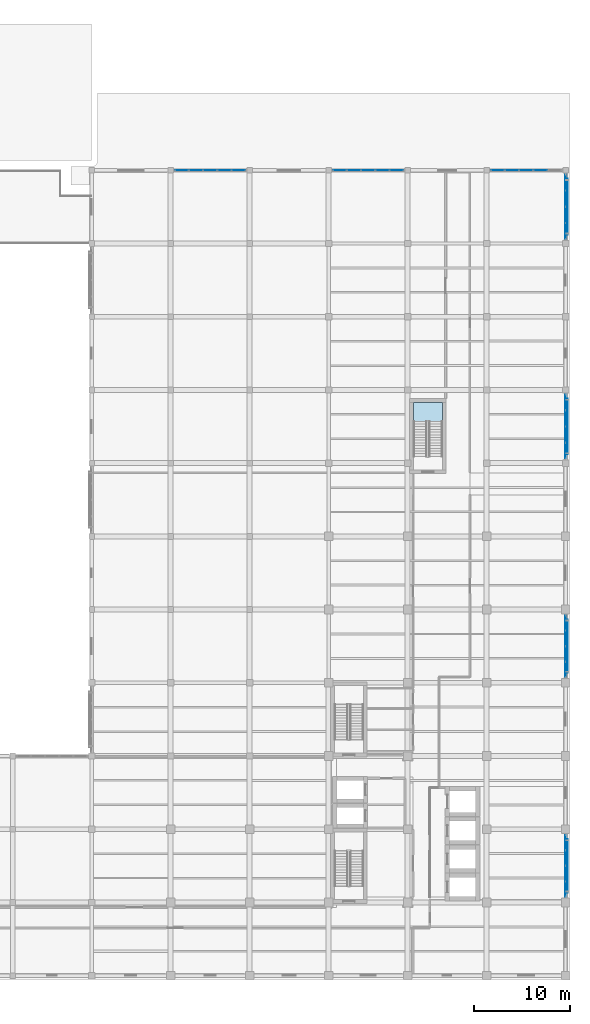
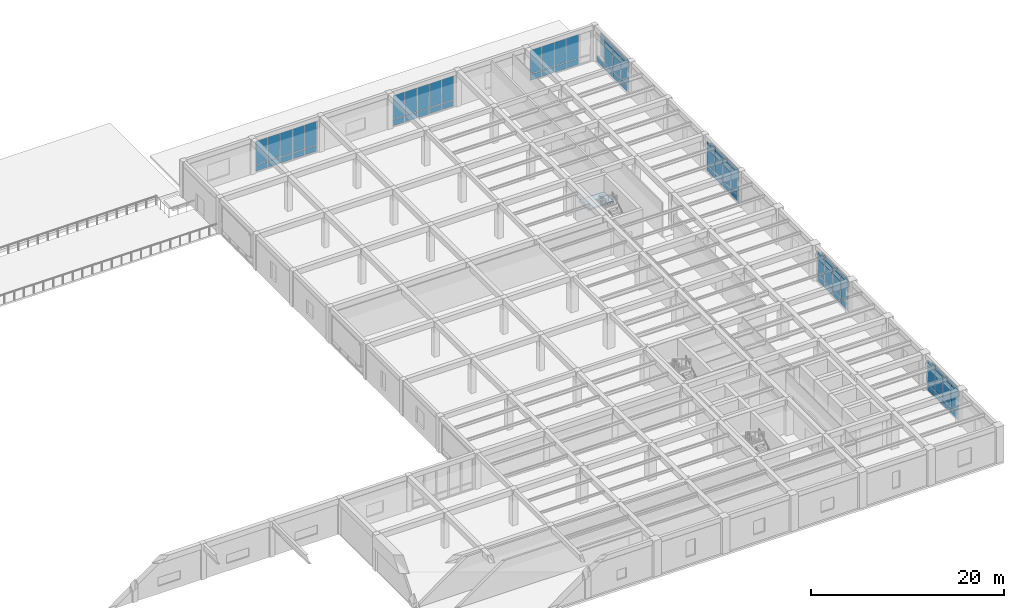
# One storey, part 32 of 49: 63 plates, 1 slab, 8 elements without a shape of their own.
"""IFC4 building model written with IfcOpenShell, lengths in metres."""

from ifc_helpers import new_model, si_unit, direction, frame, origin, origin_2d, place, context, subcontext, project, spatial, polyline, rectangle, outline, extrude, material, layer, layer_set, type_object, element, aggregate, save


model = new_model("IFC4")

# Units and contexts
model_context = context("Model", 3, precision=1e-05, world=origin(), true_north=direction((0.0, 1.0)))
body_context = subcontext(model_context, "Body", "Model", "MODEL_VIEW")
ifc_project = project(units=[si_unit("LENGTHUNIT", "METRE"), si_unit("AREAUNIT", "SQUARE_METRE"), si_unit("VOLUMEUNIT", "CUBIC_METRE"), si_unit("PLANEANGLEUNIT", "RADIAN"), si_unit("MASSUNIT", "GRAM", prefix="KILO")], contexts=[model_context])

# Site, building, storey
site_placement = place(None, origin())
site = spatial("IfcSite", under=ifc_project, at=site_placement, CompositionType="ELEMENT")
building_placement = place(site_placement, origin())
building = spatial("IfcBuilding", under=site, at=building_placement, Name="Qandaris Square Conservatory and Botanical Centre", CompositionType="ELEMENT")
storey_placement = place(building_placement, frame((0.0, 0.0, 10.199951171875)))
storey = spatial("IfcBuildingStorey", under=building, at=storey_placement, Name="L02", CompositionType="ELEMENT", Elevation=10.199951171875)

# Curtain wall, plates
ifc_material_1 = material(Name="Anodised Aluminium", Category="aluminium")
curtain_wall_type_1 = type_object("IfcCurtainWallType", Name="Unitised Curtain Wall CW-4-650x394", PredefinedType="USERDEFINED", material=ifc_material_1)
curtain_wall_1_placement = place(storey_placement, origin())
curtain_wall_1 = element("IfcCurtainWall", 1, at=curtain_wall_1_placement, inside=storey, type_object=curtain_wall_type_1, Name="Curtain Wall CW-TWR-L02-2-2", ObjectType="GLAZED CURTAIN WALL", PredefinedType="USERDEFINED")
ifc_material_2 = material(Name="Tempered Low-E Glass", Category="glass")
ifc_layer_1 = layer(ifc_material_2, 0.035888671875)
ifc_layer_set_1 = layer_set([ifc_layer_1], Name="Tempered Low-E Glass")
plate_type_1 = type_object("IfcPlateType", Name="Double-Glazed Solar Control Vision Unit 36mm", PredefinedType="CURTAIN_PANEL", material=ifc_layer_set_1)
plate_1_placement = place(storey_placement, frame((163.800048828125, 25.578857421875, 0.065185546875), z_axis=(0.0, 0.0, 1.0), x_axis=(0.0, 1.0, 0.0)))
plate_1 = element("IfcPlate", 2, at=plate_1_placement, type_object=plate_type_1, Name="CW-4-650x394 panel 1.1", PredefinedType="CURTAIN_PANEL", context=body_context, shape_type="SweptSolid", body=[
    extrude(rectangle(XDim=1.527587890625, YDim=0.035888671875, at=origin_2d()), origin(), (0.0, 0.0, 1.0), 0.75244140625),
])
plate_2_placement = place(storey_placement, frame((163.800048828125, 25.578857421875, 0.882568359375), z_axis=(0.0, 0.0, 1.0), x_axis=(0.0, 1.0, 0.0)))
plate_2 = element("IfcPlate", 3, at=plate_2_placement, type_object=plate_type_1, Name="CW-4-650x394 panel 1.2", PredefinedType="CURTAIN_PANEL", context=body_context, shape_type="SweptSolid", body=[
    extrude(rectangle(XDim=1.527587890625, YDim=0.035888671875, at=origin_2d()), origin(), (0.0, 0.0, 1.0), 2.99755859375),
])
plate_3_placement = place(storey_placement, frame((163.800048828125, 27.1875, 0.065185546875), z_axis=(0.0, 0.0, 1.0), x_axis=(0.0, 1.0, 0.0)))
plate_3 = element("IfcPlate", 4, at=plate_3_placement, type_object=plate_type_1, Name="CW-4-650x394 panel 2.1", PredefinedType="CURTAIN_PANEL", context=body_context, shape_type="SweptSolid", body=[
    extrude(rectangle(XDim=1.56005859375, YDim=0.035888671875, at=origin_2d()), origin(), (0.0, 0.0, 1.0), 0.75244140625),
])
plate_4_placement = place(storey_placement, frame((163.800048828125, 27.1875, 0.882568359375), z_axis=(0.0, 0.0, 1.0), x_axis=(0.0, 1.0, 0.0)))
plate_4 = element("IfcPlate", 5, at=plate_4_placement, type_object=plate_type_1, Name="CW-4-650x394 panel 2.2", PredefinedType="CURTAIN_PANEL", context=body_context, shape_type="SweptSolid", body=[
    extrude(rectangle(XDim=1.56005859375, YDim=0.035888671875, at=origin_2d()), origin(), (0.0, 0.0, 1.0), 2.99755859375),
])
plate_5_placement = place(storey_placement, frame((163.800048828125, 28.8125, 0.065185546875), z_axis=(0.0, 0.0, 1.0), x_axis=(0.0, 1.0, 0.0)))
plate_5 = element("IfcPlate", 6, at=plate_5_placement, type_object=plate_type_1, Name="CW-4-650x394 panel 3.1", PredefinedType="CURTAIN_PANEL", context=body_context, shape_type="SweptSolid", body=[
    extrude(rectangle(XDim=1.56005859375, YDim=0.035888671875, at=origin_2d()), origin(), (0.0, 0.0, 1.0), 0.75244140625),
])
plate_6_placement = place(storey_placement, frame((163.800048828125, 28.8125, 0.882568359375), z_axis=(0.0, 0.0, 1.0), x_axis=(0.0, 1.0, 0.0)))
plate_6 = element("IfcPlate", 7, at=plate_6_placement, type_object=plate_type_1, Name="CW-4-650x394 panel 3.2", PredefinedType="CURTAIN_PANEL", context=body_context, shape_type="SweptSolid", body=[
    extrude(rectangle(XDim=1.56005859375, YDim=0.035888671875, at=origin_2d()), origin(), (0.0, 0.0, 1.0), 2.99755859375),
])
plate_7_placement = place(storey_placement, frame((163.800048828125, 30.421142578125, 0.065185546875), z_axis=(0.0, 0.0, 1.0), x_axis=(0.0, 1.0, 0.0)))
plate_7 = element("IfcPlate", 8, at=plate_7_placement, type_object=plate_type_1, Name="CW-4-650x394 panel 4.1", PredefinedType="CURTAIN_PANEL", context=body_context, shape_type="SweptSolid", body=[
    extrude(rectangle(XDim=1.527587890625, YDim=0.035888671875, at=origin_2d()), origin(), (0.0, 0.0, 1.0), 0.75244140625),
])
plate_8_placement = place(storey_placement, frame((163.800048828125, 30.421142578125, 0.882568359375), z_axis=(0.0, 0.0, 1.0), x_axis=(0.0, 1.0, 0.0)))
plate_8 = element("IfcPlate", 9, at=plate_8_placement, type_object=plate_type_1, Name="CW-4-650x394 panel 4.2", PredefinedType="CURTAIN_PANEL", context=body_context, shape_type="SweptSolid", body=[
    extrude(rectangle(XDim=1.527587890625, YDim=0.035888671875, at=origin_2d()), origin(), (0.0, 0.0, 1.0), 2.99755859375),
])
aggregate(curtain_wall_1, [plate_1, plate_2, plate_3, plate_4, plate_5, plate_6, plate_7, plate_8])

curtain_wall_2_placement = place(storey_placement, origin())
curtain_wall_2 = element("IfcCurtainWall", 10, at=curtain_wall_2_placement, inside=storey, type_object=curtain_wall_type_1, Name="Curtain Wall CW-TWR-L02-2-5", ObjectType="GLAZED CURTAIN WALL", PredefinedType="USERDEFINED")
plate_9_placement = place(storey_placement, frame((163.800048828125, 48.378662109375, 0.065185546875), z_axis=(0.0, 0.0, 1.0), x_axis=(0.0, 1.0, 0.0)))
plate_9 = element("IfcPlate", 11, at=plate_9_placement, type_object=plate_type_1, Name="CW-4-650x394 panel 1.1", PredefinedType="CURTAIN_PANEL", context=body_context, shape_type="SweptSolid", body=[
    extrude(rectangle(XDim=1.527587890625, YDim=0.035888671875, at=origin_2d()), origin(), (0.0, 0.0, 1.0), 0.75244140625),
])
plate_10_placement = place(storey_placement, frame((163.800048828125, 48.378662109375, 0.882568359375), z_axis=(0.0, 0.0, 1.0), x_axis=(0.0, 1.0, 0.0)))
plate_10 = element("IfcPlate", 12, at=plate_10_placement, type_object=plate_type_1, Name="CW-4-650x394 panel 1.2", PredefinedType="CURTAIN_PANEL", context=body_context, shape_type="SweptSolid", body=[
    extrude(rectangle(XDim=1.527587890625, YDim=0.035888671875, at=origin_2d()), origin(), (0.0, 0.0, 1.0), 2.99755859375),
])
plate_11_placement = place(storey_placement, frame((163.800048828125, 49.987548828125, 0.065185546875), z_axis=(0.0, 0.0, 1.0), x_axis=(0.0, 1.0, 0.0)))
plate_11 = element("IfcPlate", 13, at=plate_11_placement, type_object=plate_type_1, Name="CW-4-650x394 panel 2.1", PredefinedType="CURTAIN_PANEL", context=body_context, shape_type="SweptSolid", body=[
    extrude(rectangle(XDim=1.56005859375, YDim=0.035888671875, at=origin_2d()), origin(), (0.0, 0.0, 1.0), 0.75244140625),
])
plate_12_placement = place(storey_placement, frame((163.800048828125, 49.987548828125, 0.882568359375), z_axis=(0.0, 0.0, 1.0), x_axis=(0.0, 1.0, 0.0)))
plate_12 = element("IfcPlate", 14, at=plate_12_placement, type_object=plate_type_1, Name="CW-4-650x394 panel 2.2", PredefinedType="CURTAIN_PANEL", context=body_context, shape_type="SweptSolid", body=[
    extrude(rectangle(XDim=1.56005859375, YDim=0.035888671875, at=origin_2d()), origin(), (0.0, 0.0, 1.0), 2.99755859375),
])
plate_13_placement = place(storey_placement, frame((163.800048828125, 51.612548828125, 0.065185546875), z_axis=(0.0, 0.0, 1.0), x_axis=(0.0, 1.0, 0.0)))
plate_13 = element("IfcPlate", 15, at=plate_13_placement, type_object=plate_type_1, Name="CW-4-650x394 panel 3.1", PredefinedType="CURTAIN_PANEL", context=body_context, shape_type="SweptSolid", body=[
    extrude(rectangle(XDim=1.56005859375, YDim=0.035888671875, at=origin_2d()), origin(), (0.0, 0.0, 1.0), 0.75244140625),
])
plate_14_placement = place(storey_placement, frame((163.800048828125, 51.612548828125, 0.882568359375), z_axis=(0.0, 0.0, 1.0), x_axis=(0.0, 1.0, 0.0)))
plate_14 = element("IfcPlate", 16, at=plate_14_placement, type_object=plate_type_1, Name="CW-4-650x394 panel 3.2", PredefinedType="CURTAIN_PANEL", context=body_context, shape_type="SweptSolid", body=[
    extrude(rectangle(XDim=1.56005859375, YDim=0.035888671875, at=origin_2d()), origin(), (0.0, 0.0, 1.0), 2.99755859375),
])
plate_15_placement = place(storey_placement, frame((163.800048828125, 53.22119140625, 0.065185546875), z_axis=(0.0, 0.0, 1.0), x_axis=(0.0, 1.0, 0.0)))
plate_15 = element("IfcPlate", 17, at=plate_15_placement, type_object=plate_type_1, Name="CW-4-650x394 panel 4.1", PredefinedType="CURTAIN_PANEL", context=body_context, shape_type="SweptSolid", body=[
    extrude(rectangle(XDim=1.527587890625, YDim=0.035888671875, at=origin_2d()), origin(), (0.0, 0.0, 1.0), 0.75244140625),
])
plate_16_placement = place(storey_placement, frame((163.800048828125, 53.22119140625, 0.882568359375), z_axis=(0.0, 0.0, 1.0), x_axis=(0.0, 1.0, 0.0)))
plate_16 = element("IfcPlate", 18, at=plate_16_placement, type_object=plate_type_1, Name="CW-4-650x394 panel 4.2", PredefinedType="CURTAIN_PANEL", context=body_context, shape_type="SweptSolid", body=[
    extrude(rectangle(XDim=1.527587890625, YDim=0.035888671875, at=origin_2d()), origin(), (0.0, 0.0, 1.0), 2.99755859375),
])
aggregate(curtain_wall_2, [plate_9, plate_10, plate_11, plate_12, plate_13, plate_14, plate_15, plate_16])

curtain_wall_type_2 = type_object("IfcCurtainWallType", Name="Unitised Curtain Wall CW-4-675x394", PredefinedType="USERDEFINED", material=ifc_material_1)
curtain_wall_3_placement = place(storey_placement, origin())
curtain_wall_3 = element("IfcCurtainWall", 19, at=curtain_wall_3_placement, inside=storey, type_object=curtain_wall_type_2, Name="Curtain Wall CW-TWR-L02-2-8", ObjectType="GLAZED CURTAIN WALL", PredefinedType="USERDEFINED")
plate_17_placement = place(storey_placement, frame((163.800048828125, 71.0849609375, 0.065185546875), z_axis=(0.0, 0.0, 1.0), x_axis=(0.0, 1.0, 0.0)))
plate_17 = element("IfcPlate", 20, at=plate_17_placement, type_object=plate_type_1, Name="CW-4-675x394 panel 1.1", PredefinedType="CURTAIN_PANEL", context=body_context, shape_type="SweptSolid", body=[
    extrude(rectangle(XDim=1.590087890625, YDim=0.035888671875, at=origin_2d()), origin(), (0.0, 0.0, 1.0), 0.75244140625),
])
plate_18_placement = place(storey_placement, frame((163.800048828125, 71.0849609375, 0.882568359375), z_axis=(0.0, 0.0, 1.0), x_axis=(0.0, 1.0, 0.0)))
plate_18 = element("IfcPlate", 21, at=plate_18_placement, type_object=plate_type_1, Name="CW-4-675x394 panel 1.2", PredefinedType="CURTAIN_PANEL", context=body_context, shape_type="SweptSolid", body=[
    extrude(rectangle(XDim=1.590087890625, YDim=0.035888671875, at=origin_2d()), origin(), (0.0, 0.0, 1.0), 2.99755859375),
])
plate_19_placement = place(storey_placement, frame((163.800048828125, 72.75634765625, 0.065185546875), z_axis=(0.0, 0.0, 1.0), x_axis=(0.0, 1.0, 0.0)))
plate_19 = element("IfcPlate", 22, at=plate_19_placement, type_object=plate_type_1, Name="CW-4-675x394 panel 2.1", PredefinedType="CURTAIN_PANEL", context=body_context, shape_type="SweptSolid", body=[
    extrude(rectangle(XDim=1.62255859375, YDim=0.035888671875, at=origin_2d()), origin(), (0.0, 0.0, 1.0), 0.75244140625),
])
plate_20_placement = place(storey_placement, frame((163.800048828125, 72.75634765625, 0.882568359375), z_axis=(0.0, 0.0, 1.0), x_axis=(0.0, 1.0, 0.0)))
plate_20 = element("IfcPlate", 23, at=plate_20_placement, type_object=plate_type_1, Name="CW-4-675x394 panel 2.2", PredefinedType="CURTAIN_PANEL", context=body_context, shape_type="SweptSolid", body=[
    extrude(rectangle(XDim=1.62255859375, YDim=0.035888671875, at=origin_2d()), origin(), (0.0, 0.0, 1.0), 2.99755859375),
])
plate_21_placement = place(storey_placement, frame((163.800048828125, 74.44384765625, 0.065185546875), z_axis=(0.0, 0.0, 1.0), x_axis=(0.0, 1.0, 0.0)))
plate_21 = element("IfcPlate", 24, at=plate_21_placement, type_object=plate_type_1, Name="CW-4-675x394 panel 3.1", PredefinedType="CURTAIN_PANEL", context=body_context, shape_type="SweptSolid", body=[
    extrude(rectangle(XDim=1.62255859375, YDim=0.035888671875, at=origin_2d()), origin(), (0.0, 0.0, 1.0), 0.75244140625),
])
plate_22_placement = place(storey_placement, frame((163.800048828125, 74.44384765625, 0.882568359375), z_axis=(0.0, 0.0, 1.0), x_axis=(0.0, 1.0, 0.0)))
plate_22 = element("IfcPlate", 25, at=plate_22_placement, type_object=plate_type_1, Name="CW-4-675x394 panel 3.2", PredefinedType="CURTAIN_PANEL", context=body_context, shape_type="SweptSolid", body=[
    extrude(rectangle(XDim=1.62255859375, YDim=0.035888671875, at=origin_2d()), origin(), (0.0, 0.0, 1.0), 2.99755859375),
])
plate_23_placement = place(storey_placement, frame((163.800048828125, 76.114990234375, 0.065185546875), z_axis=(0.0, 0.0, 1.0), x_axis=(0.0, 1.0, 0.0)))
plate_23 = element("IfcPlate", 26, at=plate_23_placement, type_object=plate_type_1, Name="CW-4-675x394 panel 4.1", PredefinedType="CURTAIN_PANEL", context=body_context, shape_type="SweptSolid", body=[
    extrude(rectangle(XDim=1.590087890625, YDim=0.035888671875, at=origin_2d()), origin(), (0.0, 0.0, 1.0), 0.75244140625),
])
plate_24_placement = place(storey_placement, frame((163.800048828125, 76.114990234375, 0.882568359375), z_axis=(0.0, 0.0, 1.0), x_axis=(0.0, 1.0, 0.0)))
plate_24 = element("IfcPlate", 27, at=plate_24_placement, type_object=plate_type_1, Name="CW-4-675x394 panel 4.2", PredefinedType="CURTAIN_PANEL", context=body_context, shape_type="SweptSolid", body=[
    extrude(rectangle(XDim=1.590087890625, YDim=0.035888671875, at=origin_2d()), origin(), (0.0, 0.0, 1.0), 2.99755859375),
])
aggregate(curtain_wall_3, [plate_17, plate_18, plate_19, plate_20, plate_21, plate_22, plate_23, plate_24])

curtain_wall_type_3 = type_object("IfcCurtainWallType", Name="Unitised Curtain Wall CW-4-677x394", PredefinedType="USERDEFINED", material=ifc_material_1)
curtain_wall_4_placement = place(storey_placement, origin())
curtain_wall_4 = element("IfcCurtainWall", 28, at=curtain_wall_4_placement, inside=storey, type_object=curtain_wall_type_3, Name="Curtain Wall CW-TWR-L02-2-11", ObjectType="GLAZED CURTAIN WALL", PredefinedType="USERDEFINED")
plate_25_placement = place(storey_placement, frame((163.800048828125, 93.88818359375, 0.065185546875), z_axis=(0.0, 0.0, 1.0), x_axis=(0.0, 1.0, 0.0)))
plate_25 = element("IfcPlate", 29, at=plate_25_placement, type_object=plate_type_1, Name="CW-4-677x394 panel 1.1", PredefinedType="CURTAIN_PANEL", context=body_context, shape_type="SweptSolid", body=[
    extrude(rectangle(XDim=1.59619140625, YDim=0.035888671875, at=origin_2d()), origin(), (0.0, 0.0, 1.0), 0.75244140625),
])
plate_26_placement = place(storey_placement, frame((163.800048828125, 93.88818359375, 0.882568359375), z_axis=(0.0, 0.0, 1.0), x_axis=(0.0, 1.0, 0.0)))
plate_26 = element("IfcPlate", 30, at=plate_26_placement, type_object=plate_type_1, Name="CW-4-677x394 panel 1.2", PredefinedType="CURTAIN_PANEL", context=body_context, shape_type="SweptSolid", body=[
    extrude(rectangle(XDim=1.59619140625, YDim=0.035888671875, at=origin_2d()), origin(), (0.0, 0.0, 1.0), 2.99755859375),
])
plate_27_placement = place(storey_placement, frame((163.800048828125, 95.565673828125, 0.065185546875), z_axis=(0.0, 0.0, 1.0), x_axis=(0.0, 1.0, 0.0)))
plate_27 = element("IfcPlate", 31, at=plate_27_placement, type_object=plate_type_1, Name="CW-4-677x394 panel 2.1", PredefinedType="CURTAIN_PANEL", context=body_context, shape_type="SweptSolid", body=[
    extrude(rectangle(XDim=1.628662109375, YDim=0.035888671875, at=origin_2d()), origin(), (0.0, 0.0, 1.0), 0.75244140625),
])
plate_28_placement = place(storey_placement, frame((163.800048828125, 95.565673828125, 0.882568359375), z_axis=(0.0, 0.0, 1.0), x_axis=(0.0, 1.0, 0.0)))
plate_28 = element("IfcPlate", 32, at=plate_28_placement, type_object=plate_type_1, Name="CW-4-677x394 panel 2.2", PredefinedType="CURTAIN_PANEL", context=body_context, shape_type="SweptSolid", body=[
    extrude(rectangle(XDim=1.628662109375, YDim=0.035888671875, at=origin_2d()), origin(), (0.0, 0.0, 1.0), 2.99755859375),
])
plate_29_placement = place(storey_placement, frame((163.800048828125, 97.25927734375, 0.065185546875), z_axis=(0.0, 0.0, 1.0), x_axis=(0.0, 1.0, 0.0)))
plate_29 = element("IfcPlate", 33, at=plate_29_placement, type_object=plate_type_1, Name="CW-4-677x394 panel 3.1", PredefinedType="CURTAIN_PANEL", context=body_context, shape_type="SweptSolid", body=[
    extrude(rectangle(XDim=1.628662109375, YDim=0.035888671875, at=origin_2d()), origin(), (0.0, 0.0, 1.0), 0.75244140625),
])
plate_30_placement = place(storey_placement, frame((163.800048828125, 97.25927734375, 0.882568359375), z_axis=(0.0, 0.0, 1.0), x_axis=(0.0, 1.0, 0.0)))
plate_30 = element("IfcPlate", 34, at=plate_30_placement, type_object=plate_type_1, Name="CW-4-677x394 panel 3.2", PredefinedType="CURTAIN_PANEL", context=body_context, shape_type="SweptSolid", body=[
    extrude(rectangle(XDim=1.628662109375, YDim=0.035888671875, at=origin_2d()), origin(), (0.0, 0.0, 1.0), 2.99755859375),
])
plate_31_placement = place(storey_placement, frame((163.800048828125, 98.936767578125, 0.065185546875), z_axis=(0.0, 0.0, 1.0), x_axis=(0.0, 1.0, 0.0)))
plate_31 = element("IfcPlate", 35, at=plate_31_placement, type_object=plate_type_1, Name="CW-4-677x394 panel 4.1", PredefinedType="CURTAIN_PANEL", context=body_context, shape_type="SweptSolid", body=[
    extrude(rectangle(XDim=1.59619140625, YDim=0.035888671875, at=origin_2d()), origin(), (0.0, 0.0, 1.0), 0.75244140625),
])
aggregate(curtain_wall_4, [plate_25, plate_26, plate_27, plate_28, plate_29, plate_30, plate_31])

curtain_wall_type_4 = type_object("IfcCurtainWallType", Name="Unitised Curtain Wall CW-3-740x394", PredefinedType="USERDEFINED", material=ifc_material_1)
curtain_wall_5_placement = place(storey_placement, origin())
curtain_wall_5 = element("IfcCurtainWall", 36, at=curtain_wall_5_placement, inside=storey, type_object=curtain_wall_type_4, Name="Curtain Wall CW-TWR-L02-3-1", ObjectType="GLAZED CURTAIN WALL", PredefinedType="USERDEFINED")
plate_32_placement = place(storey_placement, frame((161.179931640625, 100.199951171875, 0.065185546875), z_axis=(0.0, 0.0, 1.0), x_axis=(-1.0, 0.0, 0.0)))
plate_32 = element("IfcPlate", 37, at=plate_32_placement, type_object=plate_type_1, Name="CW-3-740x394 panel 2.1", PredefinedType="CURTAIN_PANEL", context=body_context, shape_type="SweptSolid", body=[
    extrude(rectangle(XDim=1.4150390625, YDim=0.035888671875, at=origin_2d()), origin(), (0.0, 0.0, 1.0), 0.75244140625),
])
plate_33_placement = place(storey_placement, frame((161.179931640625, 100.199951171875, 0.882568359375), z_axis=(0.0, 0.0, 1.0), x_axis=(-1.0, 0.0, 0.0)))
plate_33 = element("IfcPlate", 38, at=plate_33_placement, type_object=plate_type_1, Name="CW-3-740x394 panel 2.2", PredefinedType="CURTAIN_PANEL", context=body_context, shape_type="SweptSolid", body=[
    extrude(rectangle(XDim=1.4150390625, YDim=0.035888671875, at=origin_2d()), origin(), (0.0, 0.0, 1.0), 2.99755859375),
])
plate_34_placement = place(storey_placement, frame((159.699951171875, 100.199951171875, 0.065185546875), z_axis=(0.0, 0.0, 1.0), x_axis=(-1.0, 0.0, 0.0)))
plate_34 = element("IfcPlate", 39, at=plate_34_placement, type_object=plate_type_1, Name="CW-3-740x394 panel 3.1", PredefinedType="CURTAIN_PANEL", context=body_context, shape_type="SweptSolid", body=[
    extrude(rectangle(XDim=1.4150390625, YDim=0.035888671875, at=origin_2d()), origin(), (0.0, 0.0, 1.0), 0.75244140625),
])
plate_35_placement = place(storey_placement, frame((159.699951171875, 100.199951171875, 0.882568359375), z_axis=(0.0, 0.0, 1.0), x_axis=(-1.0, 0.0, 0.0)))
plate_35 = element("IfcPlate", 40, at=plate_35_placement, type_object=plate_type_1, Name="CW-3-740x394 panel 3.2", PredefinedType="CURTAIN_PANEL", context=body_context, shape_type="SweptSolid", body=[
    extrude(rectangle(XDim=1.4150390625, YDim=0.035888671875, at=origin_2d()), origin(), (0.0, 0.0, 1.0), 2.99755859375),
])
plate_36_placement = place(storey_placement, frame((158.219970703125, 100.199951171875, 0.065185546875), z_axis=(0.0, 0.0, 1.0), x_axis=(-1.0, 0.0, 0.0)))
plate_36 = element("IfcPlate", 41, at=plate_36_placement, type_object=plate_type_1, Name="CW-3-740x394 panel 4.1", PredefinedType="CURTAIN_PANEL", context=body_context, shape_type="SweptSolid", body=[
    extrude(rectangle(XDim=1.4150390625, YDim=0.035888671875, at=origin_2d()), origin(), (0.0, 0.0, 1.0), 0.75244140625),
])
plate_37_placement = place(storey_placement, frame((158.219970703125, 100.199951171875, 0.882568359375), z_axis=(0.0, 0.0, 1.0), x_axis=(-1.0, 0.0, 0.0)))
plate_37 = element("IfcPlate", 42, at=plate_37_placement, type_object=plate_type_1, Name="CW-3-740x394 panel 4.2", PredefinedType="CURTAIN_PANEL", context=body_context, shape_type="SweptSolid", body=[
    extrude(rectangle(XDim=1.4150390625, YDim=0.035888671875, at=origin_2d()), origin(), (0.0, 0.0, 1.0), 2.99755859375),
])
plate_38_placement = place(storey_placement, frame((156.75634765625, 100.199951171875, 0.065185546875), z_axis=(0.0, 0.0, 1.0), x_axis=(-1.0, 0.0, 0.0)))
plate_38 = element("IfcPlate", 43, at=plate_38_placement, type_object=plate_type_1, Name="CW-3-740x394 panel 5.1", PredefinedType="CURTAIN_PANEL", context=body_context, shape_type="SweptSolid", body=[
    extrude(rectangle(XDim=1.382568359375, YDim=0.035888671875, at=origin_2d()), origin(), (0.0, 0.0, 1.0), 0.75244140625),
])
plate_39_placement = place(storey_placement, frame((156.75634765625, 100.199951171875, 0.882568359375), z_axis=(0.0, 0.0, 1.0), x_axis=(-1.0, 0.0, 0.0)))
plate_39 = element("IfcPlate", 44, at=plate_39_placement, type_object=plate_type_1, Name="CW-3-740x394 panel 5.2", PredefinedType="CURTAIN_PANEL", context=body_context, shape_type="SweptSolid", body=[
    extrude(rectangle(XDim=1.382568359375, YDim=0.035888671875, at=origin_2d()), origin(), (0.0, 0.0, 1.0), 2.99755859375),
])
aggregate(curtain_wall_5, [plate_32, plate_33, plate_34, plate_35, plate_36, plate_37, plate_38, plate_39])

curtain_wall_6_placement = place(storey_placement, origin())
curtain_wall_6 = element("IfcCurtainWall", 45, at=curtain_wall_6_placement, inside=storey, type_object=curtain_wall_type_4, Name="Curtain Wall CW-TWR-L02-3-3", ObjectType="GLAZED CURTAIN WALL", PredefinedType="USERDEFINED")
plate_40_placement = place(storey_placement, frame((146.24365234375, 100.199951171875, 0.065185546875), z_axis=(0.0, 0.0, 1.0), x_axis=(-1.0, 0.0, 0.0)))
plate_40 = element("IfcPlate", 46, at=plate_40_placement, type_object=plate_type_1, Name="CW-3-740x394 panel 1.1", PredefinedType="CURTAIN_PANEL", context=body_context, shape_type="SweptSolid", body=[
    extrude(rectangle(XDim=1.382568359375, YDim=0.035888671875, at=origin_2d()), origin(), (0.0, 0.0, 1.0), 0.75244140625),
])
plate_41_placement = place(storey_placement, frame((146.24365234375, 100.199951171875, 0.882568359375), z_axis=(0.0, 0.0, 1.0), x_axis=(-1.0, 0.0, 0.0)))
plate_41 = element("IfcPlate", 47, at=plate_41_placement, type_object=plate_type_1, Name="CW-3-740x394 panel 1.2", PredefinedType="CURTAIN_PANEL", context=body_context, shape_type="SweptSolid", body=[
    extrude(rectangle(XDim=1.382568359375, YDim=0.035888671875, at=origin_2d()), origin(), (0.0, 0.0, 1.0), 2.99755859375),
])
plate_42_placement = place(storey_placement, frame((144.780029296875, 100.199951171875, 0.065185546875), z_axis=(0.0, 0.0, 1.0), x_axis=(-1.0, 0.0, 0.0)))
plate_42 = element("IfcPlate", 48, at=plate_42_placement, type_object=plate_type_1, Name="CW-3-740x394 panel 2.1", PredefinedType="CURTAIN_PANEL", context=body_context, shape_type="SweptSolid", body=[
    extrude(rectangle(XDim=1.4150390625, YDim=0.035888671875, at=origin_2d()), origin(), (0.0, 0.0, 1.0), 0.75244140625),
])
plate_43_placement = place(storey_placement, frame((144.780029296875, 100.199951171875, 0.882568359375), z_axis=(0.0, 0.0, 1.0), x_axis=(-1.0, 0.0, 0.0)))
plate_43 = element("IfcPlate", 49, at=plate_43_placement, type_object=plate_type_1, Name="CW-3-740x394 panel 2.2", PredefinedType="CURTAIN_PANEL", context=body_context, shape_type="SweptSolid", body=[
    extrude(rectangle(XDim=1.4150390625, YDim=0.035888671875, at=origin_2d()), origin(), (0.0, 0.0, 1.0), 2.99755859375),
])
plate_44_placement = place(storey_placement, frame((143.300048828125, 100.199951171875, 0.065185546875), z_axis=(0.0, 0.0, 1.0), x_axis=(-1.0, 0.0, 0.0)))
plate_44 = element("IfcPlate", 50, at=plate_44_placement, type_object=plate_type_1, Name="CW-3-740x394 panel 3.1", PredefinedType="CURTAIN_PANEL", context=body_context, shape_type="SweptSolid", body=[
    extrude(rectangle(XDim=1.4150390625, YDim=0.035888671875, at=origin_2d()), origin(), (0.0, 0.0, 1.0), 0.75244140625),
])
plate_45_placement = place(storey_placement, frame((143.300048828125, 100.199951171875, 0.882568359375), z_axis=(0.0, 0.0, 1.0), x_axis=(-1.0, 0.0, 0.0)))
plate_45 = element("IfcPlate", 51, at=plate_45_placement, type_object=plate_type_1, Name="CW-3-740x394 panel 3.2", PredefinedType="CURTAIN_PANEL", context=body_context, shape_type="SweptSolid", body=[
    extrude(rectangle(XDim=1.4150390625, YDim=0.035888671875, at=origin_2d()), origin(), (0.0, 0.0, 1.0), 2.99755859375),
])
plate_46_placement = place(storey_placement, frame((141.820068359375, 100.199951171875, 0.065185546875), z_axis=(0.0, 0.0, 1.0), x_axis=(-1.0, 0.0, 0.0)))
plate_46 = element("IfcPlate", 52, at=plate_46_placement, type_object=plate_type_1, Name="CW-3-740x394 panel 4.1", PredefinedType="CURTAIN_PANEL", context=body_context, shape_type="SweptSolid", body=[
    extrude(rectangle(XDim=1.4150390625, YDim=0.035888671875, at=origin_2d()), origin(), (0.0, 0.0, 1.0), 0.75244140625),
])
plate_47_placement = place(storey_placement, frame((141.820068359375, 100.199951171875, 0.882568359375), z_axis=(0.0, 0.0, 1.0), x_axis=(-1.0, 0.0, 0.0)))
plate_47 = element("IfcPlate", 53, at=plate_47_placement, type_object=plate_type_1, Name="CW-3-740x394 panel 4.2", PredefinedType="CURTAIN_PANEL", context=body_context, shape_type="SweptSolid", body=[
    extrude(rectangle(XDim=1.4150390625, YDim=0.035888671875, at=origin_2d()), origin(), (0.0, 0.0, 1.0), 2.99755859375),
])
plate_48_placement = place(storey_placement, frame((140.356201171875, 100.199951171875, 0.065185546875), z_axis=(0.0, 0.0, 1.0), x_axis=(-1.0, 0.0, 0.0)))
plate_48 = element("IfcPlate", 54, at=plate_48_placement, type_object=plate_type_1, Name="CW-3-740x394 panel 5.1", PredefinedType="CURTAIN_PANEL", context=body_context, shape_type="SweptSolid", body=[
    extrude(rectangle(XDim=1.382568359375, YDim=0.035888671875, at=origin_2d()), origin(), (0.0, 0.0, 1.0), 0.75244140625),
])
plate_49_placement = place(storey_placement, frame((140.356201171875, 100.199951171875, 0.882568359375), z_axis=(0.0, 0.0, 1.0), x_axis=(-1.0, 0.0, 0.0)))
plate_49 = element("IfcPlate", 55, at=plate_49_placement, type_object=plate_type_1, Name="CW-3-740x394 panel 5.2", PredefinedType="CURTAIN_PANEL", context=body_context, shape_type="SweptSolid", body=[
    extrude(rectangle(XDim=1.382568359375, YDim=0.035888671875, at=origin_2d()), origin(), (0.0, 0.0, 1.0), 2.99755859375),
])
aggregate(curtain_wall_6, [plate_40, plate_41, plate_42, plate_43, plate_44, plate_45, plate_46, plate_47, plate_48, plate_49])

curtain_wall_7_placement = place(storey_placement, origin())
curtain_wall_7 = element("IfcCurtainWall", 56, at=curtain_wall_7_placement, inside=storey, type_object=curtain_wall_type_4, Name="Curtain Wall CW-TWR-L02-3-5", ObjectType="GLAZED CURTAIN WALL", PredefinedType="USERDEFINED")
plate_50_placement = place(storey_placement, frame((129.84375, 100.199951171875, 0.065185546875), z_axis=(0.0, 0.0, 1.0), x_axis=(-1.0, 0.0, 0.0)))
plate_50 = element("IfcPlate", 57, at=plate_50_placement, type_object=plate_type_1, Name="CW-3-740x394 panel 1.1", PredefinedType="CURTAIN_PANEL", context=body_context, shape_type="SweptSolid", body=[
    extrude(rectangle(XDim=1.382568359375, YDim=0.035888671875, at=origin_2d()), origin(), (0.0, 0.0, 1.0), 0.75244140625),
])
plate_51_placement = place(storey_placement, frame((129.84375, 100.199951171875, 0.882568359375), z_axis=(0.0, 0.0, 1.0), x_axis=(-1.0, 0.0, 0.0)))
plate_51 = element("IfcPlate", 58, at=plate_51_placement, type_object=plate_type_1, Name="CW-3-740x394 panel 1.2", PredefinedType="CURTAIN_PANEL", context=body_context, shape_type="SweptSolid", body=[
    extrude(rectangle(XDim=1.382568359375, YDim=0.035888671875, at=origin_2d()), origin(), (0.0, 0.0, 1.0), 2.99755859375),
])
plate_52_placement = place(storey_placement, frame((128.3798828125, 100.199951171875, 0.065185546875), z_axis=(0.0, 0.0, 1.0), x_axis=(-1.0, 0.0, 0.0)))
plate_52 = element("IfcPlate", 59, at=plate_52_placement, type_object=plate_type_1, Name="CW-3-740x394 panel 2.1", PredefinedType="CURTAIN_PANEL", context=body_context, shape_type="SweptSolid", body=[
    extrude(rectangle(XDim=1.4150390625, YDim=0.035888671875, at=origin_2d()), origin(), (0.0, 0.0, 1.0), 0.75244140625),
])
plate_53_placement = place(storey_placement, frame((128.3798828125, 100.199951171875, 0.882568359375), z_axis=(0.0, 0.0, 1.0), x_axis=(-1.0, 0.0, 0.0)))
plate_53 = element("IfcPlate", 60, at=plate_53_placement, type_object=plate_type_1, Name="CW-3-740x394 panel 2.2", PredefinedType="CURTAIN_PANEL", context=body_context, shape_type="SweptSolid", body=[
    extrude(rectangle(XDim=1.4150390625, YDim=0.035888671875, at=origin_2d()), origin(), (0.0, 0.0, 1.0), 2.99755859375),
])
plate_54_placement = place(storey_placement, frame((126.89990234375, 100.199951171875, 0.065185546875), z_axis=(0.0, 0.0, 1.0), x_axis=(-1.0, 0.0, 0.0)))
plate_54 = element("IfcPlate", 61, at=plate_54_placement, type_object=plate_type_1, Name="CW-3-740x394 panel 3.1", PredefinedType="CURTAIN_PANEL", context=body_context, shape_type="SweptSolid", body=[
    extrude(rectangle(XDim=1.4150390625, YDim=0.035888671875, at=origin_2d()), origin(), (0.0, 0.0, 1.0), 0.75244140625),
])
plate_55_placement = place(storey_placement, frame((126.89990234375, 100.199951171875, 0.882568359375), z_axis=(0.0, 0.0, 1.0), x_axis=(-1.0, 0.0, 0.0)))
plate_55 = element("IfcPlate", 62, at=plate_55_placement, type_object=plate_type_1, Name="CW-3-740x394 panel 3.2", PredefinedType="CURTAIN_PANEL", context=body_context, shape_type="SweptSolid", body=[
    extrude(rectangle(XDim=1.4150390625, YDim=0.035888671875, at=origin_2d()), origin(), (0.0, 0.0, 1.0), 2.99755859375),
])
plate_56_placement = place(storey_placement, frame((125.419921875, 100.199951171875, 0.065185546875), z_axis=(0.0, 0.0, 1.0), x_axis=(-1.0, 0.0, 0.0)))
plate_56 = element("IfcPlate", 63, at=plate_56_placement, type_object=plate_type_1, Name="CW-3-740x394 panel 4.1", PredefinedType="CURTAIN_PANEL", context=body_context, shape_type="SweptSolid", body=[
    extrude(rectangle(XDim=1.4150390625, YDim=0.035888671875, at=origin_2d()), origin(), (0.0, 0.0, 1.0), 0.75244140625),
])
plate_57_placement = place(storey_placement, frame((125.419921875, 100.199951171875, 0.882568359375), z_axis=(0.0, 0.0, 1.0), x_axis=(-1.0, 0.0, 0.0)))
plate_57 = element("IfcPlate", 64, at=plate_57_placement, type_object=plate_type_1, Name="CW-3-740x394 panel 4.2", PredefinedType="CURTAIN_PANEL", context=body_context, shape_type="SweptSolid", body=[
    extrude(rectangle(XDim=1.4150390625, YDim=0.035888671875, at=origin_2d()), origin(), (0.0, 0.0, 1.0), 2.99755859375),
])
plate_58_placement = place(storey_placement, frame((123.956298828125, 100.199951171875, 0.065185546875), z_axis=(0.0, 0.0, 1.0), x_axis=(-1.0, 0.0, 0.0)))
plate_58 = element("IfcPlate", 65, at=plate_58_placement, type_object=plate_type_1, Name="CW-3-740x394 panel 5.1", PredefinedType="CURTAIN_PANEL", context=body_context, shape_type="SweptSolid", body=[
    extrude(rectangle(XDim=1.382568359375, YDim=0.035888671875, at=origin_2d()), origin(), (0.0, 0.0, 1.0), 0.75244140625),
])
plate_59_placement = place(storey_placement, frame((123.956298828125, 100.199951171875, 0.882568359375), z_axis=(0.0, 0.0, 1.0), x_axis=(-1.0, 0.0, 0.0)))
plate_59 = element("IfcPlate", 66, at=plate_59_placement, type_object=plate_type_1, Name="CW-3-740x394 panel 5.2", PredefinedType="CURTAIN_PANEL", context=body_context, shape_type="SweptSolid", body=[
    extrude(rectangle(XDim=1.382568359375, YDim=0.035888671875, at=origin_2d()), origin(), (0.0, 0.0, 1.0), 2.99755859375),
])
aggregate(curtain_wall_7, [plate_50, plate_51, plate_52, plate_53, plate_54, plate_55, plate_56, plate_57, plate_58, plate_59])

# Plates
ifc_material_3 = material(Name="Weathering Bronze Alloy", Category="metal")
ifc_layer_2 = layer(ifc_material_3, 0.044921875)
ifc_layer_set_2 = layer_set([ifc_layer_2], Name="Weathering Bronze Alloy")
plate_type_2 = type_object("IfcPlateType", Name="Perforated Bronze Mashrabiya Solar Screen Panel", PredefinedType="USERDEFINED", material=ifc_layer_set_2)
for number, where, z_axis, x_axis, name in (
    (67, (164.02001953125, 28.0, 0.8798828125), (0.0, 0.0, 1.0), (0.0, 1.0, 0.0), "Mashrabiya Solar Screen CW-TWR-L02-2-2"),
    (68, (164.02001953125, 50.800048828125, 0.8798828125), (0.0, 0.0, 1.0), (0.0, 1.0, 0.0), "Mashrabiya Solar Screen CW-TWR-L02-2-5"),
):
    element("IfcPlate", number, at=place(storey_placement, frame(where, z_axis=z_axis, x_axis=x_axis)), inside=storey, type_object=plate_type_2, Name=name, ObjectType="SOLAR SCREEN", PredefinedType="USERDEFINED", context=body_context, shape_type="SweptSolid", body=[
        extrude(rectangle(XDim=5.5400390625, YDim=0.044921875, at=origin_2d()), origin(), (0.0, 0.0, 1.0), 2.97509765625),
    ])
plate_60_placement = place(storey_placement, frame((164.02001953125, 73.60009765625, 0.8798828125), z_axis=(0.0, 0.0, 1.0), x_axis=(0.0, 1.0, 0.0)))
element("IfcPlate", 69, at=plate_60_placement, inside=storey, type_object=plate_type_2, Name="Mashrabiya Solar Screen CW-TWR-L02-2-8", ObjectType="SOLAR SCREEN", PredefinedType="USERDEFINED", context=body_context, shape_type="SweptSolid", body=[
    extrude(rectangle(XDim=5.7900390625, YDim=0.044921875, at=origin_2d()), origin(), (0.0, 0.0, 1.0), 2.97509765625),
])
plate_61_placement = place(storey_placement, frame((164.02001953125, 96.41259765625, 0.8798828125), z_axis=(0.0, 0.0, 1.0), x_axis=(0.0, 1.0, 0.0)))
element("IfcPlate", 70, at=plate_61_placement, inside=storey, type_object=plate_type_2, Name="Mashrabiya Solar Screen CW-TWR-L02-2-11", ObjectType="SOLAR SCREEN", PredefinedType="USERDEFINED", context=body_context, shape_type="SweptSolid", body=[
    extrude(rectangle(XDim=5.81494140625, YDim=0.044921875, at=origin_2d()), origin(), (0.0, 0.0, 1.0), 2.97509765625),
])

# Stair, slab
ifc_material_4 = material(Name="Concrete C40/50", Category="concrete")
stair_type = type_object("IfcStairType", Name="Core Escape Scissor Stair", PredefinedType="HALF_TURN_STAIR", material=ifc_material_4)
stair_placement = place(storey_placement, origin())
stair = element("IfcStair", 71, at=stair_placement, inside=storey, type_object=stair_type, Name="L02 Herbarium North Exit Stair ST-3", PredefinedType="HALF_TURN_STAIR")
ifc_layer_3 = layer(ifc_material_4, 0.219970703125)
ifc_layer_set_3 = layer_set([ifc_layer_3], Name="Concrete C40/50")
slab_type = type_object("IfcSlabType", Name="RC Stair Half-Landing Slab 220mm", PredefinedType="LANDING", material=ifc_layer_set_3)
slab_placement = place(storey_placement, frame((0.0, 0.0, 2.199951171875)))
slab = element("IfcSlab", 72, at=slab_placement, type_object=slab_type, Name="ST-3 landing 1", PredefinedType="LANDING", context=body_context, shape_type="SweptSolid", body=[
    extrude(outline(polyline([(151.0, 74.139892578125), (151.0, 76.10009765625), (148.0, 76.10009765625), (148.0, 74.139892578125), (151.0, 74.139892578125)])), origin(), (0.0, 0.0, 1.0), 0.2001953125),
])
aggregate(stair, [slab])

save(model, "model.ifc")
